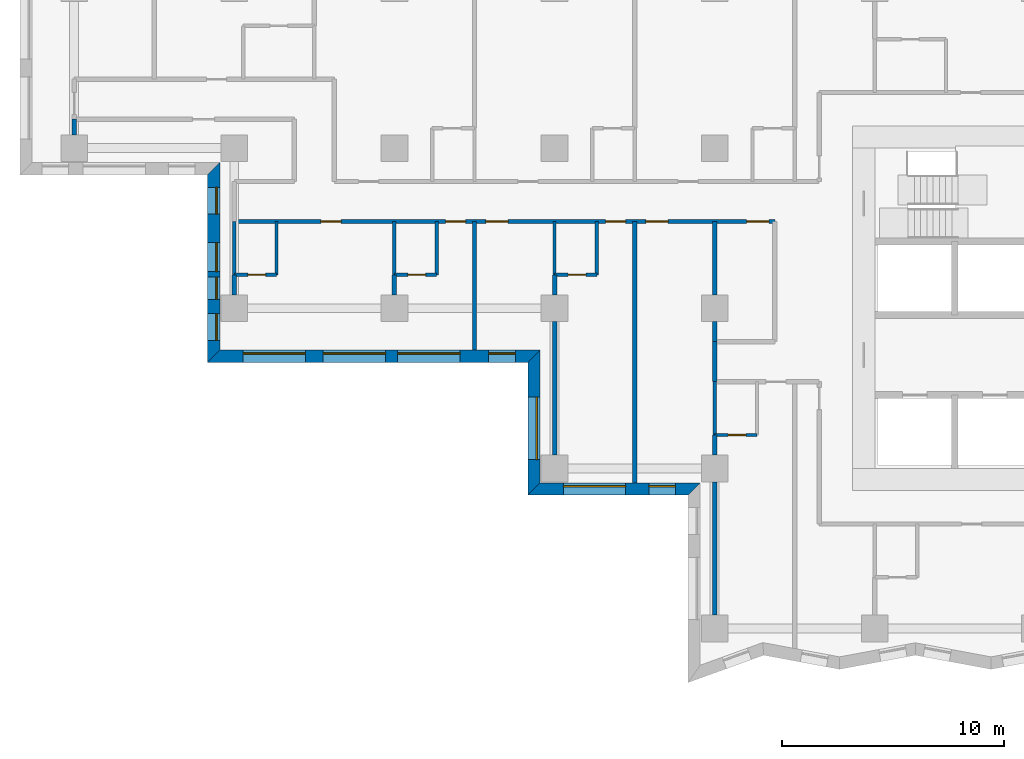
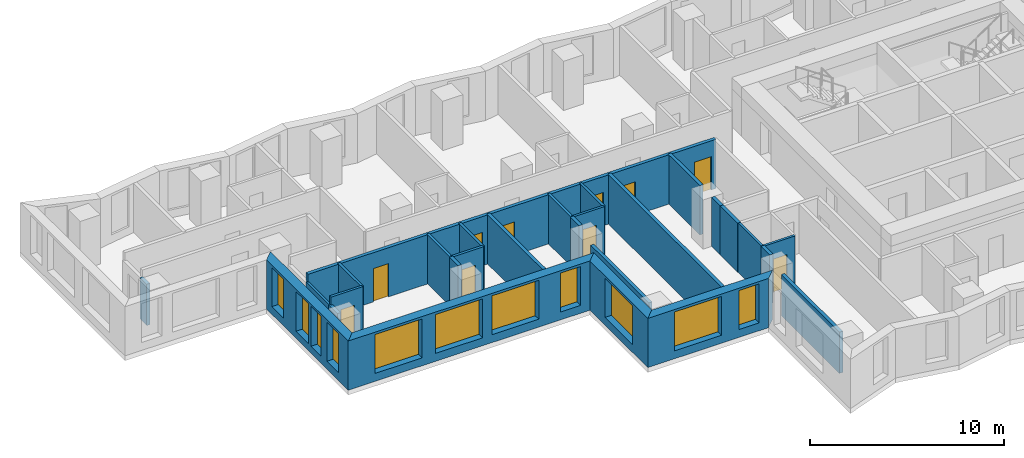
# One storey, part 3 of 13: 28 walls, 11 windows, 10 doors, 21 openings.
"""IFC4 building model written with IfcOpenShell, lengths in metres."""

from ifc_helpers import new_model, si_unit, direction, frame, frame_2d, origin, place, context, subcontext, project, spatial, polyline, rectangle, outline, extrude, material, layer, layer_set, type_object, element, fill, save


model = new_model("IFC4")

# Units and contexts
model_context = context("Model", 3, precision=1e-05, world=origin(), true_north=direction((0.0, 1.0)))
body_context = subcontext(model_context, "Body", "Model", "MODEL_VIEW")
ifc_project = project(units=[si_unit("LENGTHUNIT", "METRE"), si_unit("AREAUNIT", "SQUARE_METRE"), si_unit("VOLUMEUNIT", "CUBIC_METRE"), si_unit("PLANEANGLEUNIT", "RADIAN"), si_unit("MASSUNIT", "GRAM", prefix="KILO")], contexts=[model_context])

# Site, building, storey
site_placement = place(None, origin())
site = spatial("IfcSite", under=ifc_project, at=site_placement, CompositionType="ELEMENT")
building_placement = place(site_placement, origin())
building = spatial("IfcBuilding", under=site, at=building_placement, Name="Windrow Commons", CompositionType="ELEMENT")
storey_placement = place(building_placement, frame((0.0, 0.0, 64.4)))
storey = spatial("IfcBuildingStorey", under=building, at=storey_placement, Name="L17", CompositionType="ELEMENT", Elevation=64.4)

# Wall, openings, windows
ifc_material_1 = material(Name="Brick masonry, red clay brick", Category="masonry")
ifc_layer_1 = layer(ifc_material_1, 0.55)
ifc_layer_set_1 = layer_set([ifc_layer_1], Name="Brick facade wall 550")
wall_type_1 = type_object("IfcWallType", Name="Brick facade wall 550", PredefinedType="SOLIDWALL", material=ifc_layer_set_1)
wall_1_placement = place(storey_placement, frame((27.875, 63.875, 0.0), z_axis=(0.0, 0.0, 1.0), x_axis=(0.0, -1.0, 0.0)))
wall_1 = element("IfcWall", 1, at=wall_1_placement, inside=storey, type_object=wall_type_1, Name="Brick facade wall L17 41", PredefinedType="SOLIDWALL", context=body_context, shape_type="SweptSolid", body=[
    extrude(outline(polyline([(0.275, -0.275), (8.708, -0.275), (8.158, 0.275), (-0.275, 0.275), (0.275, -0.275)])), origin(), (0.0, 0.0, 1.0), 3.1),
])
opening_1_placement = place(wall_1_placement, frame((0.8375, 0.0, 0.5)))
opening_1 = element("IfcOpeningElement", 2, at=opening_1_placement, cuts=wall_1, Name="Opening W7D", PredefinedType="OPENING", context=body_context, shape_type="SweptSolid", body=[
    extrude(rectangle(XDim=1.2, YDim=2.45, at=frame_2d((0.6, 1.225))), frame((0.0, 0.285, 0.0), z_axis=(0.0, -1.0, 0.0), x_axis=(1.0, 0.0, 0.0)), (0.0, 0.0, 1.0), 0.57),
])
opening_2_placement = place(wall_1_placement, frame((6.5165, 0.0, 0.5)))
opening_2 = element("IfcOpeningElement", 3, at=opening_2_placement, cuts=wall_1, Name="Opening W7D", PredefinedType="OPENING", context=body_context, shape_type="SweptSolid", body=[
    extrude(rectangle(XDim=1.2, YDim=2.45, at=frame_2d((0.6, 1.225))), frame((0.0, 0.285, 0.0), z_axis=(0.0, -1.0, 0.0), x_axis=(1.0, 0.0, 0.0)), (0.0, 0.0, 1.0), 0.57),
])
opening_3_placement = place(wall_1_placement, frame((3.325, 0.0, 0.45)))
opening_3 = element("IfcOpeningElement", 4, at=opening_3_placement, cuts=wall_1, Name="Opening W1Q", PredefinedType="OPENING", context=body_context, shape_type="SweptSolid", body=[
    extrude(rectangle(XDim=1.3, YDim=2.5, at=frame_2d((0.65, 1.25))), frame((0.0, 0.285, 0.0), z_axis=(0.0, -1.0, 0.0), x_axis=(1.0, 0.0, 0.0)), (0.0, 0.0, 1.0), 0.57),
])
opening_4_placement = place(wall_1_placement, frame((4.875, 0.0, 0.45)))
opening_4 = element("IfcOpeningElement", 5, at=opening_4_placement, cuts=wall_1, Name="Opening W1S", PredefinedType="OPENING", context=body_context, shape_type="SweptSolid", body=[
    extrude(rectangle(XDim=1.0, YDim=2.5, at=frame_2d((0.5, 1.25))), frame((0.0, 0.285, 0.0), z_axis=(0.0, -1.0, 0.0), x_axis=(1.0, 0.0, 0.0)), (0.0, 0.0, 1.0), 0.57),
])
ifc_material_2 = material(Name="Clear float glass in anodised aluminium frame", Category="aluminium")
window_type_1 = type_object("IfcWindowType", Name="Window W1Q pair 1300x2500", PartitioningType="SINGLE_PANEL", PredefinedType="WINDOW", material=ifc_material_2)
window_1_placement = place(opening_3_placement, origin())
window_1 = element("IfcWindow", 6, at=window_1_placement, inside=storey, type_object=window_type_1, Name="Window L17 41.1A", OverallHeight=2.5, OverallWidth=1.3, PartitioningType="SINGLE_PANEL", PredefinedType="WINDOW", context=body_context, shape_type="SweptSolid", body=[
    extrude(rectangle(XDim=1.3, YDim=2.5, at=frame_2d((0.65, 1.25))), frame((0.0, 0.155, 0.0), z_axis=(0.0, -1.0, 0.0), x_axis=(1.0, 0.0, 0.0)), (0.0, 0.0, 1.0), 0.06),
])
fill(opening_3, window_1)
ifc_material_3 = material(Name="Clear float glass in anodised aluminium frame", Category="aluminium")
window_type_2 = type_object("IfcWindowType", Name="Window W1S slit 1000x2500", PartitioningType="SINGLE_PANEL", PredefinedType="WINDOW", material=ifc_material_3)
window_2_placement = place(opening_4_placement, origin())
window_2 = element("IfcWindow", 7, at=window_2_placement, inside=storey, type_object=window_type_2, Name="Window L17 41.1B", OverallHeight=2.5, OverallWidth=1.0, PartitioningType="SINGLE_PANEL", PredefinedType="WINDOW", context=body_context, shape_type="SweptSolid", body=[
    extrude(rectangle(XDim=1.0, YDim=2.5, at=frame_2d((0.5, 1.25))), frame((0.0, 0.155, 0.0), z_axis=(0.0, -1.0, 0.0), x_axis=(1.0, 0.0, 0.0)), (0.0, 0.0, 1.0), 0.06),
])
fill(opening_4, window_2)
ifc_material_4 = material(Name="Clear float glass in anodised aluminium frame", Category="aluminium")
window_type_3 = type_object("IfcWindowType", Name="Window W7 notch 1200x2450", PartitioningType="SINGLE_PANEL", PredefinedType="WINDOW", material=ifc_material_4)
window_3_placement = place(opening_1_placement, origin())
window_3 = element("IfcWindow", 8, at=window_3_placement, inside=storey, type_object=window_type_3, Name="Window L17 41.2", OverallHeight=2.45, OverallWidth=1.2, PartitioningType="SINGLE_PANEL", PredefinedType="WINDOW", context=body_context, shape_type="SweptSolid", body=[
    extrude(rectangle(XDim=1.2, YDim=2.45, at=frame_2d((0.6, 1.225))), frame((0.0, 0.155, 0.0), z_axis=(0.0, -1.0, 0.0), x_axis=(1.0, 0.0, 0.0)), (0.0, 0.0, 1.0), 0.06),
])
fill(opening_1, window_3)
window_4_placement = place(opening_2_placement, origin())
window_4 = element("IfcWindow", 9, at=window_4_placement, inside=storey, type_object=window_type_3, Name="Window L17 41.3", OverallHeight=2.45, OverallWidth=1.2, PartitioningType="SINGLE_PANEL", PredefinedType="WINDOW", context=body_context, shape_type="SweptSolid", body=[
    extrude(rectangle(XDim=1.2, YDim=2.45, at=frame_2d((0.6, 1.225))), frame((0.0, 0.155, 0.0), z_axis=(0.0, -1.0, 0.0), x_axis=(1.0, 0.0, 0.0)), (0.0, 0.0, 1.0), 0.06),
])
fill(opening_2, window_4)

wall_2_placement = place(storey_placement, frame((27.875, 55.442, 0.0), z_axis=(0.0, 0.0, 1.0), x_axis=(1.0, 0.0, 0.0)))
wall_2 = element("IfcWall", 10, at=wall_2_placement, inside=storey, type_object=wall_type_1, Name="Brick facade wall L17 42", PredefinedType="SOLIDWALL", context=body_context, shape_type="SweptSolid", body=[
    extrude(outline(polyline([(-0.275, -0.275), (14.125, -0.275), (14.675, 0.275), (0.275, 0.275), (-0.275, -0.275)])), origin(), (0.0, 0.0, 1.0), 3.1),
])
opening_5_placement = place(wall_2_placement, frame((1.325, 0.0, 0.5)))
opening_5 = element("IfcOpeningElement", 11, at=opening_5_placement, cuts=wall_2, Name="Opening W1T", PredefinedType="OPENING", context=body_context, shape_type="SweptSolid", body=[
    extrude(rectangle(XDim=2.8, YDim=2.45, at=frame_2d((1.4, 1.225))), frame((0.0, 0.285, 0.0), z_axis=(0.0, -1.0, 0.0), x_axis=(1.0, 0.0, 0.0)), (0.0, 0.0, 1.0), 0.57),
])
opening_6_placement = place(wall_2_placement, frame((4.925, 0.0, 0.5)))
opening_6 = element("IfcOpeningElement", 12, at=opening_6_placement, cuts=wall_2, Name="Opening W1T", PredefinedType="OPENING", context=body_context, shape_type="SweptSolid", body=[
    extrude(rectangle(XDim=2.8, YDim=2.45, at=frame_2d((1.4, 1.225))), frame((0.0, 0.285, 0.0), z_axis=(0.0, -1.0, 0.0), x_axis=(1.0, 0.0, 0.0)), (0.0, 0.0, 1.0), 0.57),
])
opening_7_placement = place(wall_2_placement, frame((8.275, 0.0, 0.5)))
opening_7 = element("IfcOpeningElement", 13, at=opening_7_placement, cuts=wall_2, Name="Opening W1T", PredefinedType="OPENING", context=body_context, shape_type="SweptSolid", body=[
    extrude(rectangle(XDim=2.8, YDim=2.45, at=frame_2d((1.4, 1.225))), frame((0.0, 0.285, 0.0), z_axis=(0.0, -1.0, 0.0), x_axis=(1.0, 0.0, 0.0)), (0.0, 0.0, 1.0), 0.57),
])
opening_8_placement = place(wall_2_placement, frame((12.3625, 0.0, 0.5)))
opening_8 = element("IfcOpeningElement", 14, at=opening_8_placement, cuts=wall_2, Name="Opening W7D", PredefinedType="OPENING", context=body_context, shape_type="SweptSolid", body=[
    extrude(rectangle(XDim=1.2, YDim=2.45, at=frame_2d((0.6, 1.225))), frame((0.0, 0.285, 0.0), z_axis=(0.0, -1.0, 0.0), x_axis=(1.0, 0.0, 0.0)), (0.0, 0.0, 1.0), 0.57),
])
ifc_material_5 = material(Name="Clear float glass in anodised aluminium frame", Category="aluminium")
window_type_4 = type_object("IfcWindowType", Name="Window W1T bedroom 2800x2450", PartitioningType="SINGLE_PANEL", PredefinedType="WINDOW", material=ifc_material_5)
window_5_placement = place(opening_5_placement, origin())
window_5 = element("IfcWindow", 15, at=window_5_placement, inside=storey, type_object=window_type_4, Name="Window L17 42.1", OverallHeight=2.45, OverallWidth=2.8, PartitioningType="SINGLE_PANEL", PredefinedType="WINDOW", context=body_context, shape_type="SweptSolid", body=[
    extrude(rectangle(XDim=2.8, YDim=2.45, at=frame_2d((1.4, 1.225))), frame((0.0, 0.155, 0.0), z_axis=(0.0, -1.0, 0.0), x_axis=(1.0, 0.0, 0.0)), (0.0, 0.0, 1.0), 0.06),
])
fill(opening_5, window_5)
window_6_placement = place(opening_6_placement, origin())
window_6 = element("IfcWindow", 16, at=window_6_placement, inside=storey, type_object=window_type_4, Name="Window L17 42.2", OverallHeight=2.45, OverallWidth=2.8, PartitioningType="SINGLE_PANEL", PredefinedType="WINDOW", context=body_context, shape_type="SweptSolid", body=[
    extrude(rectangle(XDim=2.8, YDim=2.45, at=frame_2d((1.4, 1.225))), frame((0.0, 0.155, 0.0), z_axis=(0.0, -1.0, 0.0), x_axis=(1.0, 0.0, 0.0)), (0.0, 0.0, 1.0), 0.06),
])
fill(opening_6, window_6)
window_7_placement = place(opening_7_placement, origin())
window_7 = element("IfcWindow", 17, at=window_7_placement, inside=storey, type_object=window_type_4, Name="Window L17 42.3", OverallHeight=2.45, OverallWidth=2.8, PartitioningType="SINGLE_PANEL", PredefinedType="WINDOW", context=body_context, shape_type="SweptSolid", body=[
    extrude(rectangle(XDim=2.8, YDim=2.45, at=frame_2d((1.4, 1.225))), frame((0.0, 0.155, 0.0), z_axis=(0.0, -1.0, 0.0), x_axis=(1.0, 0.0, 0.0)), (0.0, 0.0, 1.0), 0.06),
])
fill(opening_7, window_7)
window_8_placement = place(opening_8_placement, origin())
window_8 = element("IfcWindow", 18, at=window_8_placement, inside=storey, type_object=window_type_3, Name="Window L17 42.4", OverallHeight=2.45, OverallWidth=1.2, PartitioningType="SINGLE_PANEL", PredefinedType="WINDOW", context=body_context, shape_type="SweptSolid", body=[
    extrude(rectangle(XDim=1.2, YDim=2.45, at=frame_2d((0.6, 1.225))), frame((0.0, 0.155, 0.0), z_axis=(0.0, -1.0, 0.0), x_axis=(1.0, 0.0, 0.0)), (0.0, 0.0, 1.0), 0.06),
])
fill(opening_8, window_8)

# Wall, opening, window
wall_3_placement = place(storey_placement, frame((42.275, 55.442, 0.0), z_axis=(0.0, 0.0, 1.0), x_axis=(0.0, -1.0, 0.0)))
wall_3 = element("IfcWall", 19, at=wall_3_placement, inside=storey, type_object=wall_type_1, Name="Brick facade wall L17 43", PredefinedType="SOLIDWALL", context=body_context, shape_type="SweptSolid", body=[
    extrude(outline(polyline([(0.275, -0.275), (6.242, -0.275), (5.692, 0.275), (-0.275, 0.275), (0.275, -0.275)])), origin(), (0.0, 0.0, 1.0), 3.1),
])
opening_9_placement = place(wall_3_placement, frame((1.842, 0.0, 0.5)))
opening_9 = element("IfcOpeningElement", 20, at=opening_9_placement, cuts=wall_3, Name="Opening W1T", PredefinedType="OPENING", context=body_context, shape_type="SweptSolid", body=[
    extrude(rectangle(XDim=2.8, YDim=2.45, at=frame_2d((1.4, 1.225))), frame((0.0, 0.285, 0.0), z_axis=(0.0, -1.0, 0.0), x_axis=(1.0, 0.0, 0.0)), (0.0, 0.0, 1.0), 0.57),
])
window_9_placement = place(opening_9_placement, origin())
window_9 = element("IfcWindow", 21, at=window_9_placement, inside=storey, type_object=window_type_4, Name="Window L17 43.1", OverallHeight=2.45, OverallWidth=2.8, PartitioningType="SINGLE_PANEL", PredefinedType="WINDOW", context=body_context, shape_type="SweptSolid", body=[
    extrude(rectangle(XDim=2.8, YDim=2.45, at=frame_2d((1.4, 1.225))), frame((0.0, 0.155, 0.0), z_axis=(0.0, -1.0, 0.0), x_axis=(1.0, 0.0, 0.0)), (0.0, 0.0, 1.0), 0.06),
])
fill(opening_9, window_9)

# Wall, openings, windows
wall_4_placement = place(storey_placement, frame((42.275, 49.475, 0.0), z_axis=(0.0, 0.0, 1.0), x_axis=(1.0, 0.0, 0.0)))
wall_4 = element("IfcWall", 22, at=wall_4_placement, inside=storey, type_object=wall_type_1, Name="Brick facade wall L17 44", PredefinedType="SOLIDWALL", context=body_context, shape_type="SweptSolid", body=[
    extrude(outline(polyline([(-0.275, -0.275), (6.925, -0.275), (7.475, 0.275), (0.275, 0.275), (-0.275, -0.275)])), origin(), (0.0, 0.0, 1.0), 3.1),
])
opening_10_placement = place(wall_4_placement, frame((1.325, 0.0, 0.5)))
opening_10 = element("IfcOpeningElement", 23, at=opening_10_placement, cuts=wall_4, Name="Opening W1T", PredefinedType="OPENING", context=body_context, shape_type="SweptSolid", body=[
    extrude(rectangle(XDim=2.8, YDim=2.45, at=frame_2d((1.4, 1.225))), frame((0.0, 0.285, 0.0), z_axis=(0.0, -1.0, 0.0), x_axis=(1.0, 0.0, 0.0)), (0.0, 0.0, 1.0), 0.57),
])
opening_11_placement = place(wall_4_placement, frame((5.1625, 0.0, 0.5)))
opening_11 = element("IfcOpeningElement", 24, at=opening_11_placement, cuts=wall_4, Name="Opening W7D", PredefinedType="OPENING", context=body_context, shape_type="SweptSolid", body=[
    extrude(rectangle(XDim=1.2, YDim=2.45, at=frame_2d((0.6, 1.225))), frame((0.0, 0.285, 0.0), z_axis=(0.0, -1.0, 0.0), x_axis=(1.0, 0.0, 0.0)), (0.0, 0.0, 1.0), 0.57),
])
window_10_placement = place(opening_10_placement, origin())
window_10 = element("IfcWindow", 25, at=window_10_placement, inside=storey, type_object=window_type_4, Name="Window L17 44.1", OverallHeight=2.45, OverallWidth=2.8, PartitioningType="SINGLE_PANEL", PredefinedType="WINDOW", context=body_context, shape_type="SweptSolid", body=[
    extrude(rectangle(XDim=2.8, YDim=2.45, at=frame_2d((1.4, 1.225))), frame((0.0, 0.155, 0.0), z_axis=(0.0, -1.0, 0.0), x_axis=(1.0, 0.0, 0.0)), (0.0, 0.0, 1.0), 0.06),
])
fill(opening_10, window_10)
window_11_placement = place(opening_11_placement, origin())
window_11 = element("IfcWindow", 26, at=window_11_placement, inside=storey, type_object=window_type_3, Name="Window L17 44.2", OverallHeight=2.45, OverallWidth=1.2, PartitioningType="SINGLE_PANEL", PredefinedType="WINDOW", context=body_context, shape_type="SweptSolid", body=[
    extrude(rectangle(XDim=1.2, YDim=2.45, at=frame_2d((0.6, 1.225))), frame((0.0, 0.155, 0.0), z_axis=(0.0, -1.0, 0.0), x_axis=(1.0, 0.0, 0.0)), (0.0, 0.0, 1.0), 0.06),
])
fill(opening_11, window_11)

# Wall, openings, doors
ifc_material_6 = material(Name="Blockwork partition", Category="masonry")
ifc_layer_2 = layer(ifc_material_6, 0.2)
ifc_layer_set_2 = layer_set([ifc_layer_2], Name="IW-CORRIDOR-200")
wall_type_2 = type_object("IfcWallType", Name="IW-CORRIDOR-200", PredefinedType="PARTITIONING", material=ifc_layer_set_2)
wall_5_placement = place(storey_placement, frame((28.8, 61.5, 0.0), z_axis=(0.0, 0.0, 1.0), x_axis=(1.0, 0.0, 0.0)))
wall_5 = element("IfcWall", 27, at=wall_5_placement, inside=storey, type_object=wall_type_2, Name="W-L17-W000", PredefinedType="PARTITIONING", context=body_context, shape_type="SweptSolid", body=[
    extrude(rectangle(XDim=24.3, YDim=0.2, at=frame_2d((12.15, 0.0))), origin(), (0.0, 0.0, 1.0), 3.1),
])
opening_12_placement = place(wall_5_placement, frame((3.8994, 0.0, 0.0)))
opening_12 = element("IfcOpeningElement", 28, at=opening_12_placement, cuts=wall_5, Name="Opening D109F", PredefinedType="OPENING", context=body_context, shape_type="SweptSolid", body=[
    extrude(rectangle(XDim=0.9, YDim=2.1, at=frame_2d((0.45, 1.05))), frame((0.0, 0.11, 0.0), z_axis=(0.0, -1.0, 0.0), x_axis=(1.0, 0.0, 0.0)), (0.0, 0.0, 1.0), 0.22),
])
opening_13_placement = place(wall_5_placement, frame((9.5, 0.0, 0.0)))
opening_13 = element("IfcOpeningElement", 29, at=opening_13_placement, cuts=wall_5, Name="Opening D109S", PredefinedType="OPENING", context=body_context, shape_type="SweptSolid", body=[
    extrude(rectangle(XDim=0.9, YDim=2.1, at=frame_2d((0.45, 1.05))), frame((0.0, 0.11, 0.0), z_axis=(0.0, -1.0, 0.0), x_axis=(1.0, 0.0, 0.0)), (0.0, 0.0, 1.0), 0.22),
])
opening_14_placement = place(wall_5_placement, frame((11.3075, 0.0, 0.0)))
opening_14 = element("IfcOpeningElement", 30, at=opening_14_placement, cuts=wall_5, Name="Opening D310F", PredefinedType="OPENING", context=body_context, shape_type="SweptSolid", body=[
    extrude(rectangle(XDim=1.0, YDim=2.1, at=frame_2d((0.5, 1.05))), frame((0.0, 0.11, 0.0), z_axis=(0.0, -1.0, 0.0), x_axis=(1.0, 0.0, 0.0)), (0.0, 0.0, 1.0), 0.22),
])
opening_15_placement = place(wall_5_placement, frame((16.7, 0.0, 0.0)))
opening_15 = element("IfcOpeningElement", 31, at=opening_15_placement, cuts=wall_5, Name="Opening D109S", PredefinedType="OPENING", context=body_context, shape_type="SweptSolid", body=[
    extrude(rectangle(XDim=0.9, YDim=2.1, at=frame_2d((0.45, 1.05))), frame((0.0, 0.11, 0.0), z_axis=(0.0, -1.0, 0.0), x_axis=(1.0, 0.0, 0.0)), (0.0, 0.0, 1.0), 0.22),
])
opening_16_placement = place(wall_5_placement, frame((18.5075, 0.0, 0.0)))
opening_16 = element("IfcOpeningElement", 32, at=opening_16_placement, cuts=wall_5, Name="Opening D310F", PredefinedType="OPENING", context=body_context, shape_type="SweptSolid", body=[
    extrude(rectangle(XDim=1.0, YDim=2.1, at=frame_2d((0.5, 1.05))), frame((0.0, 0.11, 0.0), z_axis=(0.0, -1.0, 0.0), x_axis=(1.0, 0.0, 0.0)), (0.0, 0.0, 1.0), 0.22),
])
opening_17_placement = place(wall_5_placement, frame((23.0333, 0.0, 0.0)))
opening_17 = element("IfcOpeningElement", 33, at=opening_17_placement, cuts=wall_5, Name="Opening D310F", PredefinedType="OPENING", context=body_context, shape_type="SweptSolid", body=[
    extrude(rectangle(XDim=1.0, YDim=2.1, at=frame_2d((0.5, 1.05))), frame((0.0, 0.11, 0.0), z_axis=(0.0, -1.0, 0.0), x_axis=(1.0, 0.0, 0.0)), (0.0, 0.0, 1.0), 0.22),
])
ifc_material_7 = material(Name="Timber door leaf", Category="wood")
door_type_1 = type_object("IfcDoorType", Name="DT-AMENITY-1000", OperationType="SINGLE_SWING_LEFT", PredefinedType="DOOR", material=ifc_material_7)
door_1_placement = place(opening_14_placement, origin())
door_1 = element("IfcDoor", 34, at=door_1_placement, inside=storey, type_object=door_type_1, Name="D-L17-D017", OperationType="SINGLE_SWING_RIGHT", OverallHeight=2.1, OverallWidth=1.0, PredefinedType="DOOR", context=body_context, shape_type="SweptSolid", body=[
    extrude(rectangle(XDim=1.0, YDim=2.1, at=frame_2d((0.5, 1.05))), frame((0.0, 0.025, 0.0), z_axis=(0.0, -1.0, 0.0), x_axis=(1.0, 0.0, 0.0)), (0.0, 0.0, 1.0), 0.05),
])
fill(opening_14, door_1)
door_2_placement = place(opening_16_placement, origin())
door_2 = element("IfcDoor", 35, at=door_2_placement, inside=storey, type_object=door_type_1, Name="D-L17-D020", OperationType="SINGLE_SWING_RIGHT", OverallHeight=2.1, OverallWidth=1.0, PredefinedType="DOOR", context=body_context, shape_type="SweptSolid", body=[
    extrude(rectangle(XDim=1.0, YDim=2.1, at=frame_2d((0.5, 1.05))), frame((0.0, 0.025, 0.0), z_axis=(0.0, -1.0, 0.0), x_axis=(1.0, 0.0, 0.0)), (0.0, 0.0, 1.0), 0.05),
])
fill(opening_16, door_2)
door_3_placement = place(opening_17_placement, origin())
door_3 = element("IfcDoor", 36, at=door_3_placement, inside=storey, type_object=door_type_1, Name="D-L17-D021", OperationType="SINGLE_SWING_LEFT", OverallHeight=2.1, OverallWidth=1.0, PredefinedType="DOOR", context=body_context, shape_type="SweptSolid", body=[
    extrude(rectangle(XDim=1.0, YDim=2.1, at=frame_2d((0.5, 1.05))), frame((0.0, 0.025, 0.0), z_axis=(0.0, -1.0, 0.0), x_axis=(1.0, 0.0, 0.0)), (0.0, 0.0, 1.0), 0.05),
])
fill(opening_17, door_3)
ifc_material_8 = material(Name="Timber door leaf", Category="wood")
door_type_2 = type_object("IfcDoorType", Name="DT-BEDROOM-900", OperationType="SINGLE_SWING_LEFT", PredefinedType="DOOR", material=ifc_material_8)
door_4_placement = place(opening_12_placement, origin())
door_4 = element("IfcDoor", 37, at=door_4_placement, inside=storey, type_object=door_type_2, Name="D-L17-D005", OperationType="SINGLE_SWING_LEFT", OverallHeight=2.1, OverallWidth=0.9, PredefinedType="DOOR", context=body_context, shape_type="SweptSolid", body=[
    extrude(rectangle(XDim=0.9, YDim=2.1, at=frame_2d((0.45, 1.05))), frame((0.0, 0.025, 0.0), z_axis=(0.0, -1.0, 0.0), x_axis=(1.0, 0.0, 0.0)), (0.0, 0.0, 1.0), 0.05),
])
fill(opening_12, door_4)
door_5_placement = place(opening_13_placement, origin())
door_5 = element("IfcDoor", 38, at=door_5_placement, inside=storey, type_object=door_type_2, Name="D-L17-D007", OperationType="SINGLE_SWING_LEFT", OverallHeight=2.1, OverallWidth=0.9, PredefinedType="DOOR", context=body_context, shape_type="SweptSolid", body=[
    extrude(rectangle(XDim=0.9, YDim=2.1, at=frame_2d((0.45, 1.05))), frame((0.0, 0.025, 0.0), z_axis=(0.0, -1.0, 0.0), x_axis=(1.0, 0.0, 0.0)), (0.0, 0.0, 1.0), 0.05),
])
fill(opening_13, door_5)
door_6_placement = place(opening_15_placement, origin())
door_6 = element("IfcDoor", 39, at=door_6_placement, inside=storey, type_object=door_type_2, Name="D-L17-D018", OperationType="SINGLE_SWING_LEFT", OverallHeight=2.1, OverallWidth=0.9, PredefinedType="DOOR", context=body_context, shape_type="SweptSolid", body=[
    extrude(rectangle(XDim=0.9, YDim=2.1, at=frame_2d((0.45, 1.05))), frame((0.0, 0.025, 0.0), z_axis=(0.0, -1.0, 0.0), x_axis=(1.0, 0.0, 0.0)), (0.0, 0.0, 1.0), 0.05),
])
fill(opening_15, door_6)

# Walls
wall_6_placement = place(storey_placement, frame((50.4, 54.3, 0.0), z_axis=(0.0, 0.0, 1.0), x_axis=(0.0, 1.0, 0.0)))
element("IfcWall", 40, at=wall_6_placement, inside=storey, type_object=wall_type_2, Name="W-L17-W132", PredefinedType="PARTITIONING", context=body_context, shape_type="SweptSolid", body=[
    extrude(rectangle(XDim=1.8, YDim=0.2, at=frame_2d((0.9, 0.0))), origin(), (0.0, 0.0, 1.0), 3.1),
])
ifc_material_9 = material(Name="Blockwork partition", Category="masonry")
ifc_layer_3 = layer(ifc_material_9, 0.15)
ifc_layer_set_3 = layer_set([ifc_layer_3], Name="IW-ENSUITE-150")
wall_type_3 = type_object("IfcWallType", Name="IW-ENSUITE-150", PredefinedType="PARTITIONING", material=ifc_layer_set_3)
wall_7_placement = place(storey_placement, frame((30.7, 59.1, 0.0), z_axis=(0.0, 0.0, 1.0), x_axis=(0.0, 1.0, 0.0)))
element("IfcWall", 41, at=wall_7_placement, inside=storey, type_object=wall_type_3, Name="W-L17-W084", PredefinedType="PARTITIONING", context=body_context, shape_type="SweptSolid", body=[
    extrude(rectangle(XDim=2.4, YDim=0.15, at=frame_2d((1.2, 0.0))), origin(), (0.0, 0.0, 1.0), 3.1),
])
wall_8_placement = place(storey_placement, frame((28.8, 59.1, 0.0), z_axis=(0.0, 0.0, 1.0), x_axis=(0.0, 1.0, 0.0)))
element("IfcWall", 42, at=wall_8_placement, inside=storey, type_object=wall_type_3, Name="W-L17-W085", PredefinedType="PARTITIONING", context=body_context, shape_type="SweptSolid", body=[
    extrude(rectangle(XDim=2.4, YDim=0.15, at=frame_2d((1.2, 0.0))), origin(), (0.0, 0.0, 1.0), 2.6),
])
for number, where, z_axis, x_axis, name in (
    (43, (37.9, 59.1, 0.0), (0.0, 0.0, 1.0), (0.0, 1.0, 0.0), "W-L17-W086"),
    (44, (36.0, 59.1, 0.0), (0.0, 0.0, 1.0), (0.0, 1.0, 0.0), "W-L17-W087"),
    (45, (45.1, 59.1, 0.0), (0.0, 0.0, 1.0), (0.0, 1.0, 0.0), "W-L17-W088"),
    (46, (43.2, 59.1, 0.0), (0.0, 0.0, 1.0), (0.0, 1.0, 0.0), "W-L17-W089"),
    (47, (50.4, 51.9, 0.0), (0.0, 0.0, 1.0), (0.0, 1.0, 0.0), "W-L17-W091"),
):
    element("IfcWall", number, at=place(storey_placement, frame(where, z_axis=z_axis, x_axis=x_axis)), inside=storey, type_object=wall_type_3, Name=name, PredefinedType="PARTITIONING", context=body_context, shape_type="SweptSolid", body=[
        extrude(rectangle(XDim=2.4, YDim=0.15, at=frame_2d((1.2, 0.0))), origin(), (0.0, 0.0, 1.0), 3.1),
    ])

# Wall, opening, door
wall_9_placement = place(storey_placement, frame((28.8, 59.1, 0.0), z_axis=(0.0, 0.0, 1.0), x_axis=(1.0, 0.0, 0.0)))
wall_9 = element("IfcWall", 48, at=wall_9_placement, inside=storey, type_object=wall_type_3, Name="W-L17-W117", PredefinedType="PARTITIONING", context=body_context, shape_type="SweptSolid", body=[
    extrude(rectangle(XDim=1.9, YDim=0.15, at=frame_2d((0.95, 0.0))), origin(), (0.0, 0.0, 1.0), 3.1),
])
opening_18_placement = place(wall_9_placement, frame((0.6069, 0.0, 0.0)))
opening_18 = element("IfcOpeningElement", 49, at=opening_18_placement, cuts=wall_9, Name="Opening D208N", PredefinedType="OPENING", context=body_context, shape_type="SweptSolid", body=[
    extrude(rectangle(XDim=0.8, YDim=2.1, at=frame_2d((0.4, 1.05))), frame((0.0, 0.085, 0.0), z_axis=(0.0, -1.0, 0.0), x_axis=(1.0, 0.0, 0.0)), (0.0, 0.0, 1.0), 0.17),
])
ifc_material_10 = material(Name="Timber door leaf", Category="wood")
door_type_3 = type_object("IfcDoorType", Name="DT-ENSUITE-800", OperationType="SINGLE_SWING_LEFT", PredefinedType="DOOR", material=ifc_material_10)
door_7_placement = place(opening_18_placement, origin())
door_7 = element("IfcDoor", 50, at=door_7_placement, inside=storey, type_object=door_type_3, Name="D-L17-D006", OperationType="SINGLE_SWING_RIGHT", OverallHeight=2.1, OverallWidth=0.8, PredefinedType="DOOR", context=body_context, shape_type="SweptSolid", body=[
    extrude(rectangle(XDim=0.8, YDim=2.1, at=frame_2d((0.4, 1.05))), frame((0.0, 0.025, 0.0), z_axis=(0.0, -1.0, 0.0), x_axis=(1.0, 0.0, 0.0)), (0.0, 0.0, 1.0), 0.05),
])
fill(opening_18, door_7)

wall_10_placement = place(storey_placement, frame((36.0, 59.1, 0.0), z_axis=(0.0, 0.0, 1.0), x_axis=(1.0, 0.0, 0.0)))
wall_10 = element("IfcWall", 51, at=wall_10_placement, inside=storey, type_object=wall_type_3, Name="W-L17-W118", PredefinedType="PARTITIONING", context=body_context, shape_type="SweptSolid", body=[
    extrude(rectangle(XDim=1.9, YDim=0.15, at=frame_2d((0.95, 0.0))), origin(), (0.0, 0.0, 1.0), 3.1),
])
opening_19_placement = place(wall_10_placement, frame((0.6069, 0.0, 0.0)))
opening_19 = element("IfcOpeningElement", 52, at=opening_19_placement, cuts=wall_10, Name="Opening D208N", PredefinedType="OPENING", context=body_context, shape_type="SweptSolid", body=[
    extrude(rectangle(XDim=0.8, YDim=2.1, at=frame_2d((0.4, 1.05))), frame((0.0, 0.085, 0.0), z_axis=(0.0, -1.0, 0.0), x_axis=(1.0, 0.0, 0.0)), (0.0, 0.0, 1.0), 0.17),
])
door_8_placement = place(opening_19_placement, origin())
door_8 = element("IfcDoor", 53, at=door_8_placement, inside=storey, type_object=door_type_3, Name="D-L17-D008", OperationType="SINGLE_SWING_RIGHT", OverallHeight=2.1, OverallWidth=0.8, PredefinedType="DOOR", context=body_context, shape_type="SweptSolid", body=[
    extrude(rectangle(XDim=0.8, YDim=2.1, at=frame_2d((0.4, 1.05))), frame((0.0, 0.025, 0.0), z_axis=(0.0, -1.0, 0.0), x_axis=(1.0, 0.0, 0.0)), (0.0, 0.0, 1.0), 0.05),
])
fill(opening_19, door_8)

wall_11_placement = place(storey_placement, frame((43.2, 59.1, 0.0), z_axis=(0.0, 0.0, 1.0), x_axis=(1.0, 0.0, 0.0)))
wall_11 = element("IfcWall", 54, at=wall_11_placement, inside=storey, type_object=wall_type_3, Name="W-L17-W119", PredefinedType="PARTITIONING", context=body_context, shape_type="SweptSolid", body=[
    extrude(rectangle(XDim=1.9, YDim=0.15, at=frame_2d((0.95, 0.0))), origin(), (0.0, 0.0, 1.0), 3.1),
])
opening_20_placement = place(wall_11_placement, frame((0.6069, 0.0, 0.0)))
opening_20 = element("IfcOpeningElement", 55, at=opening_20_placement, cuts=wall_11, Name="Opening D208N", PredefinedType="OPENING", context=body_context, shape_type="SweptSolid", body=[
    extrude(rectangle(XDim=0.8, YDim=2.1, at=frame_2d((0.4, 1.05))), frame((0.0, 0.085, 0.0), z_axis=(0.0, -1.0, 0.0), x_axis=(1.0, 0.0, 0.0)), (0.0, 0.0, 1.0), 0.17),
])
door_9_placement = place(opening_20_placement, origin())
door_9 = element("IfcDoor", 56, at=door_9_placement, inside=storey, type_object=door_type_3, Name="D-L17-D019", OperationType="SINGLE_SWING_RIGHT", OverallHeight=2.1, OverallWidth=0.8, PredefinedType="DOOR", context=body_context, shape_type="SweptSolid", body=[
    extrude(rectangle(XDim=0.8, YDim=2.1, at=frame_2d((0.4, 1.05))), frame((0.0, 0.025, 0.0), z_axis=(0.0, -1.0, 0.0), x_axis=(1.0, 0.0, 0.0)), (0.0, 0.0, 1.0), 0.05),
])
fill(opening_20, door_9)

wall_12_placement = place(storey_placement, frame((50.4, 51.9, 0.0), z_axis=(0.0, 0.0, 1.0), x_axis=(1.0, 0.0, 0.0)))
wall_12 = element("IfcWall", 57, at=wall_12_placement, inside=storey, type_object=wall_type_3, Name="W-L17-W123", PredefinedType="PARTITIONING", context=body_context, shape_type="SweptSolid", body=[
    extrude(rectangle(XDim=1.9, YDim=0.15, at=frame_2d((0.95, 0.0))), origin(), (0.0, 0.0, 1.0), 3.1),
])
opening_21_placement = place(wall_12_placement, frame((0.6069, 0.0, 0.0)))
opening_21 = element("IfcOpeningElement", 58, at=opening_21_placement, cuts=wall_12, Name="Opening D208N", PredefinedType="OPENING", context=body_context, shape_type="SweptSolid", body=[
    extrude(rectangle(XDim=0.8, YDim=2.1, at=frame_2d((0.4, 1.05))), frame((0.0, 0.085, 0.0), z_axis=(0.0, -1.0, 0.0), x_axis=(1.0, 0.0, 0.0)), (0.0, 0.0, 1.0), 0.17),
])
door_10_placement = place(opening_21_placement, origin())
door_10 = element("IfcDoor", 59, at=door_10_placement, inside=storey, type_object=door_type_3, Name="D-L17-D023", OperationType="SINGLE_SWING_RIGHT", OverallHeight=2.1, OverallWidth=0.8, PredefinedType="DOOR", context=body_context, shape_type="SweptSolid", body=[
    extrude(rectangle(XDim=0.8, YDim=2.1, at=frame_2d((0.4, 1.05))), frame((0.0, 0.025, 0.0), z_axis=(0.0, -1.0, 0.0), x_axis=(1.0, 0.0, 0.0)), (0.0, 0.0, 1.0), 0.05),
])
fill(opening_21, door_10)

# Walls
ifc_material_11 = material(Name="Blockwork partition", Category="masonry")
ifc_layer_4 = layer(ifc_material_11, 0.2)
ifc_layer_set_4 = layer_set([ifc_layer_4], Name="IW-PARTY-200")
wall_type_4 = type_object("IfcWallType", Name="IW-PARTY-200", PredefinedType="PARTITIONING", material=ifc_layer_set_4)
wall_13_placement = place(storey_placement, frame((46.8, 49.75, 0.0), z_axis=(0.0, 0.0, 1.0), x_axis=(0.0, 1.0, 0.0)))
element("IfcWall", 60, at=wall_13_placement, inside=storey, type_object=wall_type_4, Name="W-L17-W008", PredefinedType="PARTITIONING", context=body_context, shape_type="SweptSolid", body=[
    extrude(rectangle(XDim=11.75, YDim=0.2, at=frame_2d((5.875, 0.0))), origin(), (0.0, 0.0, 1.0), 3.1),
])
for number, where, z_axis, x_axis, name in (
    (61, (43.2, 51.0, 0.0), (0.0, 0.0, 1.0), (0.0, 1.0, 0.0), "W-L17-W028"),
    (62, (50.4, 43.8, 0.0), (0.0, 0.0, 1.0), (0.0, 1.0, 0.0), "W-L17-W029"),
):
    element("IfcWall", number, at=place(storey_placement, frame(where, z_axis=z_axis, x_axis=x_axis)), inside=storey, type_object=wall_type_4, Name=name, PredefinedType="PARTITIONING", context=body_context, shape_type="SweptSolid", body=[
        extrude(rectangle(XDim=6.0, YDim=0.2, at=frame_2d((3.0, 0.0))), origin(), (0.0, 0.0, 1.0), 2.6),
    ])
wall_14_placement = place(storey_placement, frame((39.6, 55.717, 0.0), z_axis=(0.0, 0.0, 1.0), x_axis=(0.0, 1.0, 0.0)))
element("IfcWall", 63, at=wall_14_placement, inside=storey, type_object=wall_type_4, Name="W-L17-W032", PredefinedType="PARTITIONING", context=body_context, shape_type="SweptSolid", body=[
    extrude(rectangle(XDim=5.783, YDim=0.2, at=frame_2d((2.8915, 0.0))), origin(), (0.0, 0.0, 1.0), 3.1),
])
wall_15_placement = place(storey_placement, frame((50.4, 58.2, 0.0), z_axis=(0.0, 0.0, 1.0), x_axis=(0.0, 1.0, 0.0)))
element("IfcWall", 64, at=wall_15_placement, inside=storey, type_object=wall_type_4, Name="W-L17-W057", PredefinedType="PARTITIONING", context=body_context, shape_type="SweptSolid", body=[
    extrude(rectangle(XDim=3.3, YDim=0.2, at=frame_2d((1.65, 0.0))), origin(), (0.0, 0.0, 1.0), 3.1),
])
wall_16_placement = place(storey_placement, frame((28.8, 58.2, 0.0), z_axis=(0.0, 0.0, 1.0), x_axis=(0.0, 1.0, 0.0)))
element("IfcWall", 65, at=wall_16_placement, inside=storey, type_object=wall_type_4, Name="W-L17-W144", PredefinedType="PARTITIONING", context=body_context, shape_type="SweptSolid", body=[
    extrude(rectangle(XDim=0.9, YDim=0.2, at=frame_2d((0.45, 0.0))), origin(), (0.0, 0.0, 1.0), 2.6),
])
for number, where, z_axis, x_axis, name in (
    (66, (36.0, 58.2, 0.0), (0.0, 0.0, 1.0), (0.0, 1.0, 0.0), "W-L17-W145"),
    (67, (43.2, 58.2, 0.0), (0.0, 0.0, 1.0), (0.0, 1.0, 0.0), "W-L17-W146"),
    (68, (50.4, 51.0, 0.0), (0.0, 0.0, 1.0), (0.0, 1.0, 0.0), "W-L17-W147"),
    (69, (50.4, 56.1, 0.0), (0.0, 0.0, 1.0), (0.0, 1.0, 0.0), "W-L17-W148"),
):
    element("IfcWall", number, at=place(storey_placement, frame(where, z_axis=z_axis, x_axis=x_axis)), inside=storey, type_object=wall_type_4, Name=name, PredefinedType="PARTITIONING", context=body_context, shape_type="SweptSolid", body=[
        extrude(rectangle(XDim=0.9, YDim=0.2, at=frame_2d((0.45, 0.0))), origin(), (0.0, 0.0, 1.0), 3.1),
    ])
wall_17_placement = place(storey_placement, frame((21.6, 65.4, 0.0), z_axis=(0.0, 0.0, 1.0), x_axis=(0.0, 1.0, 0.0)))
element("IfcWall", 70, at=wall_17_placement, inside=storey, type_object=wall_type_4, Name="W-L17-W151", PredefinedType="PARTITIONING", context=body_context, shape_type="SweptSolid", body=[
    extrude(rectangle(XDim=0.7, YDim=0.2, at=frame_2d((0.35, 0.0))), origin(), (0.0, 0.0, 1.0), 2.6),
])

save(model, "model.ifc")
